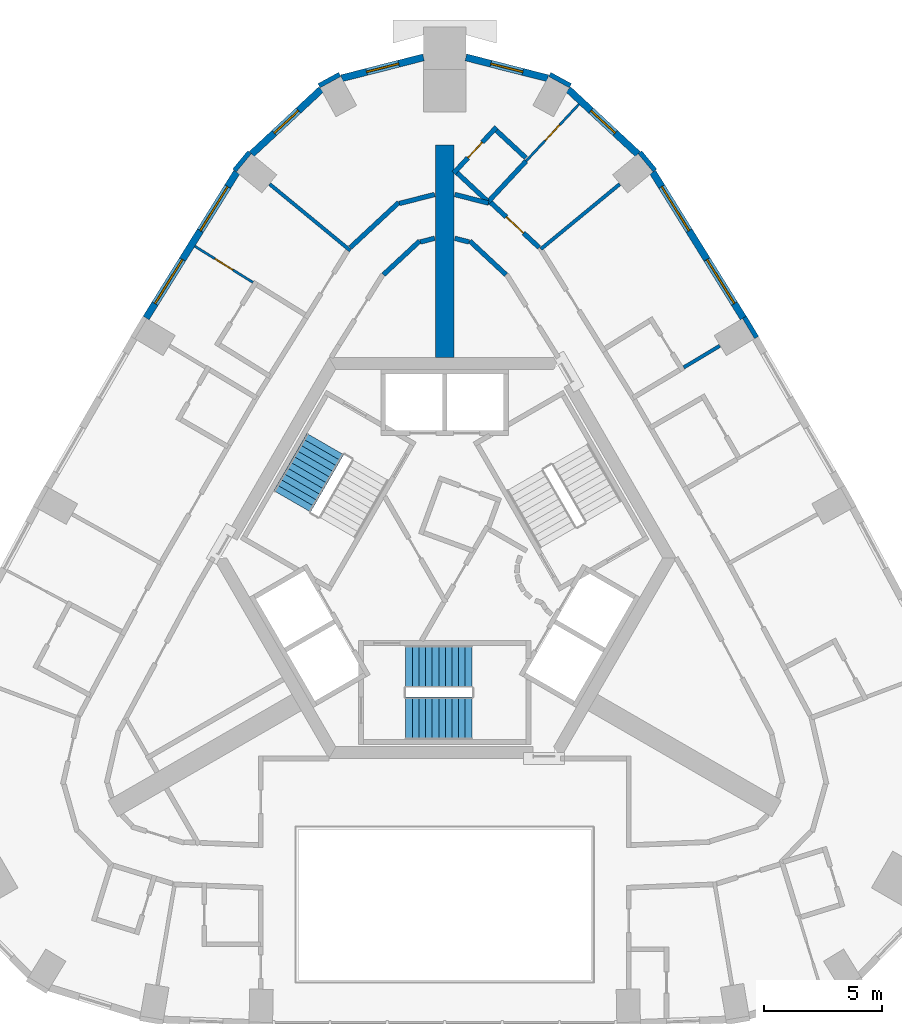
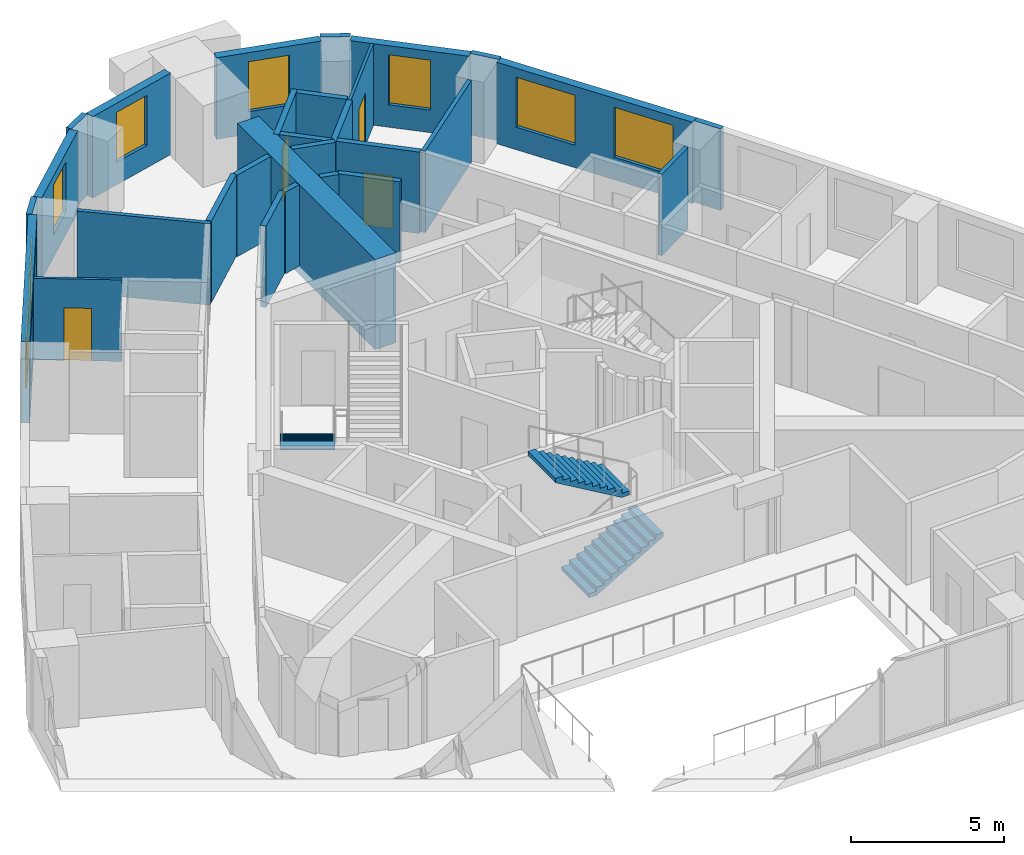
# One storey, part 7 of 10: 29 walls, 8 windows, 4 doors, 3 stair flights, 12 openings, 2 elements without a shape of their own.
"""IFC4 building model written with IfcOpenShell, lengths in metres."""

from ifc_helpers import new_model, si_unit, direction, frame, frame_2d, origin, place, context, subcontext, project, spatial, polyline, rectangle, outline, extrude, material, layer, layer_set, type_object, element, fill, aggregate, save


model = new_model("IFC4")

# Units and contexts
model_context = context("Model", 3, precision=1e-05, world=origin(), true_north=direction((0.0, 1.0)))
body_context = subcontext(model_context, "Body", "Model", "MODEL_VIEW")
ifc_project = project(units=[si_unit("LENGTHUNIT", "METRE"), si_unit("AREAUNIT", "SQUARE_METRE"), si_unit("VOLUMEUNIT", "CUBIC_METRE"), si_unit("PLANEANGLEUNIT", "RADIAN"), si_unit("MASSUNIT", "GRAM", prefix="KILO")], contexts=[model_context])

# Site, building, storey
site_placement = place(None, origin())
site = spatial("IfcSite", under=ifc_project, at=site_placement, CompositionType="ELEMENT")
building_placement = place(site_placement, origin())
building = spatial("IfcBuilding", under=site, at=building_placement, Name="Entoto Arch Interchange Tower", CompositionType="ELEMENT")
storey_placement = place(building_placement, frame((0.0, 0.0, 293.60009765625)))
storey = spatial("IfcBuildingStorey", under=building, at=storey_placement, Name="L68", CompositionType="ELEMENT", Elevation=293.60009765625)

# Wall
ifc_material_1 = material(Name="Concrete C40/50", Category="concrete")
ifc_layer_1 = layer(ifc_material_1, 0.800048828125)
ifc_layer_set_1 = layer_set([ifc_layer_1], Name="Concrete C40/50")
wall_type_1 = type_object("IfcWallType", Name="Buttress wall 800 C40/50", PredefinedType="SHEAR", material=ifc_layer_set_1)
wall_1_placement = place(storey_placement, frame((0.0, 11.0, -0.340087890625), z_axis=(0.0, 0.0, 1.0), x_axis=(0.0, 1.0, 0.0)))
element("IfcWall", 1, at=wall_1_placement, inside=storey, type_object=wall_type_1, Name="Buttress wall N L68", PredefinedType="SHEAR", context=body_context, shape_type="SweptSolid", body=[
    extrude(rectangle(XDim=9.0, YDim=0.800048828125, at=frame_2d((4.5, 0.0))), origin(), (0.0, 0.0, 1.0), 3.60009765625),
])

# Wall, opening, door
ifc_material_2 = material(Name="Gypsum board partition on steel studs", Category="steel")
ifc_layer_2 = layer(ifc_material_2, 0.10009765625)
ifc_layer_set_2 = layer_set([ifc_layer_2], Name="Gypsum board partition on steel studs")
wall_type_2 = type_object("IfcWallType", Name="PARTITION 100", PredefinedType="PARTITIONING", material=ifc_layer_set_2)
wall_2_placement = place(storey_placement, frame((3.444091796875, 19.322021484375, 0.0), z_axis=(0.0, 0.0, 1.0), x_axis=(0.68085394361, 0.732419215662, 0.0)))
wall_2 = element("IfcWall", 2, at=wall_2_placement, inside=storey, type_object=wall_type_2, Name="wall:L68:p107", PredefinedType="PARTITIONING", context=body_context, shape_type="SweptSolid", body=[
    extrude(rectangle(XDim=3.300048828125, YDim=0.10009765625, at=frame_2d((1.64990234375, 0.0))), origin(), (0.0, 0.0, 1.0), 3.260009765625),
])
opening_1_placement = place(wall_2_placement, frame((1.199951171875, 0.0, 0.0)))
opening_1 = element("IfcOpeningElement", 3, at=opening_1_placement, cuts=wall_2, Name="Opening L68-D14", PredefinedType="OPENING", context=body_context, shape_type="SweptSolid", body=[
    extrude(rectangle(XDim=0.89990234375, YDim=2.10009765625, at=frame_2d((0.449951171875, 1.050048828125))), frame((0.0, 0.06005859375, 0.0), z_axis=(0.0, -1.0, 0.0), x_axis=(1.0, 0.0, 0.0)), (0.0, 0.0, 1.0), 0.1201171875),
])
ifc_material_3 = material(Name="Timber door leaf in Steel S235 frame", Category="steel")
door_type_1 = type_object("IfcDoorType", Name="DOOR DS-09 900x2100", OperationType="SINGLE_SWING_LEFT", PredefinedType="DOOR", material=ifc_material_3)
door_1_placement = place(opening_1_placement, origin())
door_1 = element("IfcDoor", 4, at=door_1_placement, inside=storey, type_object=door_type_1, Name="door:L68:14", OperationType="SINGLE_SWING_LEFT", OverallHeight=2.10009765625, OverallWidth=0.89990234375, PredefinedType="DOOR", context=body_context, shape_type="SweptSolid", body=[
    extrude(rectangle(XDim=0.89990234375, YDim=2.10009765625, at=frame_2d((0.449951171875, 1.050048828125))), frame((0.0, 0.02490234375, 0.0), z_axis=(0.0, -1.0, 0.0), x_axis=(1.0, 0.0, 0.0)), (0.0, 0.0, 1.0), 0.050048828125),
])
fill(opening_1, door_1)

wall_3_placement = place(storey_placement, frame((-8.1298828125, 14.18505859375, 0.0), z_axis=(0.0, 0.0, 1.0), x_axis=(-0.849305726881, 0.527901299759, 0.0)))
wall_3 = element("IfcWall", 5, at=wall_3_placement, inside=storey, type_object=wall_type_2, Name="wall:L68:p113", PredefinedType="PARTITIONING", context=body_context, shape_type="SweptSolid", body=[
    extrude(rectangle(XDim=2.900146484375, YDim=0.10009765625, at=frame_2d((1.4501953125, 0.0))), origin(), (0.0, 0.0, 1.0), 3.260009765625),
])
opening_2_placement = place(wall_3_placement, frame((1.0, 0.0, 0.0)))
opening_2 = element("IfcOpeningElement", 6, at=opening_2_placement, cuts=wall_3, Name="Opening L68-D17", PredefinedType="OPENING", context=body_context, shape_type="SweptSolid", body=[
    extrude(rectangle(XDim=0.89990234375, YDim=2.10009765625, at=frame_2d((0.449951171875, 1.050048828125))), frame((0.0, 0.06005859375, 0.0), z_axis=(0.0, -1.0, 0.0), x_axis=(1.0, 0.0, 0.0)), (0.0, 0.0, 1.0), 0.1201171875),
])
door_2_placement = place(opening_2_placement, origin())
door_2 = element("IfcDoor", 7, at=door_2_placement, inside=storey, type_object=door_type_1, Name="door:L68:17", OperationType="SINGLE_SWING_LEFT", OverallHeight=2.10009765625, OverallWidth=0.89990234375, PredefinedType="DOOR", context=body_context, shape_type="SweptSolid", body=[
    extrude(rectangle(XDim=0.89990234375, YDim=2.10009765625, at=frame_2d((0.449951171875, 1.050048828125))), frame((0.0, 0.02490234375, 0.0), z_axis=(0.0, -1.0, 0.0), x_axis=(1.0, 0.0, 0.0)), (0.0, 0.0, 1.0), 0.050048828125),
])
fill(opening_2, door_2)

# Walls
ifc_layer_3 = layer(ifc_material_2, 0.14990234375)
ifc_layer_set_3 = layer_set([ifc_layer_3], Name="Gypsum board partition on steel studs")
wall_type_3 = type_object("IfcWallType", Name="PARTITION 150", PredefinedType="PARTITIONING", material=ifc_layer_set_3)
wall_4_placement = place(storey_placement, frame((10.133056640625, 10.580078125, 0.0), z_axis=(0.0, 0.0, 1.0), x_axis=(0.857903919212, 0.513810145287, 0.0)))
element("IfcWall", 8, at=wall_4_placement, inside=storey, type_object=wall_type_3, Name="wall:L68:p102", PredefinedType="PARTITIONING", context=body_context, shape_type="SweptSolid", body=[
    extrude(rectangle(XDim=1.781005859375, YDim=0.14990234375, at=frame_2d((0.890625, 0.0))), origin(), (0.0, 0.0, 1.0), 3.260009765625),
])
wall_5_placement = place(storey_placement, frame((4.074951171875, 15.594970703125, 0.0), z_axis=(0.0, 0.0, 1.0), x_axis=(0.771899326406, 0.635744783616, 0.0)))
element("IfcWall", 9, at=wall_5_placement, inside=storey, type_object=wall_type_3, Name="wall:L68:p106", PredefinedType="PARTITIONING", context=body_context, shape_type="SweptSolid", body=[
    extrude(rectangle(XDim=4.332275390625, YDim=0.14990234375, at=frame_2d((2.166015625, 0.0))), origin(), (0.0, 0.0, 1.0), 3.260009765625),
])
wall_6_placement = place(storey_placement, frame((-3.998046875, 15.531982421875, 0.0), z_axis=(0.0, 0.0, 1.0), x_axis=(-0.771938186867, 0.635697597649, 0.0)))
element("IfcWall", 10, at=wall_6_placement, inside=storey, type_object=wall_type_3, Name="wall:L68:p112", PredefinedType="PARTITIONING", context=body_context, shape_type="SweptSolid", body=[
    extrude(rectangle(XDim=4.431640625, YDim=0.14990234375, at=frame_2d((2.2158203125, 0.0))), origin(), (0.0, 0.0, 1.0), 3.260009765625),
])
ifc_layer_4 = layer(ifc_material_2, 0.199951171875)
ifc_layer_set_4 = layer_set([ifc_layer_4], Name="Gypsum board partition on steel studs")
wall_type_4 = type_object("IfcWallType", Name="PARTITION 200", PredefinedType="PARTITIONING", material=ifc_layer_set_4)
wall_7_placement = place(storey_placement, frame((2.60009765625, 14.509033203125, 0.0), z_axis=(0.0, 0.0, 1.0), x_axis=(-0.732355024595, 0.680922989735, 0.0)))
element("IfcWall", 11, at=wall_7_placement, inside=storey, type_object=wall_type_4, Name="wall:L68:p007", PredefinedType="PARTITIONING", context=body_context, shape_type="SweptSolid", body=[
    extrude(rectangle(XDim=2.102783203125, YDim=0.199951171875, at=frame_2d((1.05126953125, 0.0))), origin(), (0.0, 0.0, 1.0), 3.260009765625),
])
for number, where, z_axis, x_axis, name in (
    (12, (1.035888671875, 15.89794921875, 0.0), (0.0, 0.0, 1.0), (-0.968899933785, 0.247452860787, 0.0), "wall:L68:p008"),
    (13, (-0.425048828125, 16.053955078125, 0.0), (0.0, 0.0, 1.0), (-0.968899933785, -0.247452860787, 0.0), "wall:L68:p009"),
):
    element("IfcWall", number, at=place(storey_placement, frame(where, z_axis=z_axis, x_axis=x_axis)), inside=storey, type_object=wall_type_4, Name=name, PredefinedType="PARTITIONING", context=body_context, shape_type="SweptSolid", body=[
        extrude(rectangle(XDim=0.63037109375, YDim=0.199951171875, at=frame_2d((0.315185546875, 0.0))), origin(), (0.0, 0.0, 1.0), 3.260009765625),
    ])
wall_8_placement = place(storey_placement, frame((-1.06005859375, 15.94091796875, 0.0), z_axis=(0.0, 0.0, 1.0), x_axis=(-0.732355024595, -0.680922989735, 0.0)))
element("IfcWall", 14, at=wall_8_placement, inside=storey, type_object=wall_type_4, Name="wall:L68:p010", PredefinedType="PARTITIONING", context=body_context, shape_type="SweptSolid", body=[
    extrude(rectangle(XDim=2.102783203125, YDim=0.199951171875, at=frame_2d((1.05126953125, 0.0))), origin(), (0.0, 0.0, 1.0), 3.260009765625),
])

# Wall, opening, door
wall_9_placement = place(storey_placement, frame((1.948974609375, 17.572021484375, 0.0), z_axis=(0.0, 0.0, 1.0), x_axis=(0.732331154554, -0.680948661846, 0.0)))
wall_9 = element("IfcWall", 15, at=wall_9_placement, inside=storey, type_object=wall_type_4, Name="wall:L68:p042", PredefinedType="PARTITIONING", context=body_context, shape_type="SweptSolid", body=[
    extrude(rectangle(XDim=2.803466796875, YDim=0.199951171875, at=frame_2d((1.40185546875, 0.0))), origin(), (0.0, 0.0, 1.0), 3.260009765625),
])
opening_3_placement = place(wall_9_placement, frame((0.90087890625, 0.0, 0.0)))
opening_3 = element("IfcOpeningElement", 16, at=opening_3_placement, cuts=wall_9, Name="Opening L68-D13", PredefinedType="OPENING", context=body_context, shape_type="SweptSolid", body=[
    extrude(rectangle(XDim=1.0, YDim=2.10009765625, at=frame_2d((0.5, 1.050048828125))), frame((0.0, 0.10986328125, 0.0), z_axis=(0.0, -1.0, 0.0), x_axis=(1.0, 0.0, 0.0)), (0.0, 0.0, 1.0), 0.219970703125),
])
ifc_material_4 = material(Name="Fire-rated Steel S235 door and frame", Category="steel")
door_type_2 = type_object("IfcDoorType", Name="DOOR FD-10 1000x2100", OperationType="SINGLE_SWING_LEFT", PredefinedType="DOOR", material=ifc_material_4)
door_3_placement = place(opening_3_placement, origin())
door_3 = element("IfcDoor", 17, at=door_3_placement, inside=storey, type_object=door_type_2, Name="door:L68:13", OperationType="SINGLE_SWING_LEFT", OverallHeight=2.10009765625, OverallWidth=1.0, PredefinedType="DOOR", context=body_context, shape_type="SweptSolid", body=[
    extrude(rectangle(XDim=1.0, YDim=2.10009765625, at=frame_2d((0.5, 1.050048828125))), frame((0.0, 0.02490234375, 0.0), z_axis=(0.0, -1.0, 0.0), x_axis=(1.0, 0.0, 0.0)), (0.0, 0.0, 1.0), 0.050048828125),
])
fill(opening_3, door_3)

# Walls
wall_10_placement = place(storey_placement, frame((-4.001953125, 15.6630859375, 0.0), z_axis=(0.0, 0.0, 1.0), x_axis=(0.732331154554, 0.680948661846, 0.0)))
element("IfcWall", 18, at=wall_10_placement, inside=storey, type_object=wall_type_4, Name="wall:L68:p043", PredefinedType="PARTITIONING", context=body_context, shape_type="SweptSolid", body=[
    extrude(rectangle(XDim=2.803466796875, YDim=0.199951171875, at=frame_2d((1.40185546875, 0.0))), origin(), (0.0, 0.0, 1.0), 3.260009765625),
])
wall_11_placement = place(storey_placement, frame((-1.926025390625, 17.528076171875, 0.0), z_axis=(0.0, 0.0, 1.0), x_axis=(0.968981980879, 0.247131383542, 0.0)))
element("IfcWall", 19, at=wall_11_placement, inside=storey, type_object=wall_type_4, Name="wall:L68:p044", PredefinedType="PARTITIONING", context=body_context, shape_type="SweptSolid", body=[
    extrude(rectangle(XDim=1.549072265625, YDim=0.199951171875, at=frame_2d((0.7744140625, 0.0))), origin(), (0.0, 0.0, 1.0), 3.260009765625),
])
wall_12_placement = place(storey_placement, frame((0.425048828125, 17.910888671875, 0.0), z_axis=(0.0, 0.0, 1.0), x_axis=(0.969051069597, -0.246860334023, 0.0)))
element("IfcWall", 20, at=wall_12_placement, inside=storey, type_object=wall_type_4, Name="wall:L68:p045", PredefinedType="PARTITIONING", context=body_context, shape_type="SweptSolid", body=[
    extrude(rectangle(XDim=1.4736328125, YDim=0.199951171875, at=frame_2d((0.73681640625, 0.0))), origin(), (0.0, 0.0, 1.0), 3.260009765625),
])
wall_13_placement = place(storey_placement, frame((1.77587890625, 17.528076171875, 0.0), z_axis=(0.0, 0.0, 1.0), x_axis=(0.680978439741, 0.732303464834, 0.0)))
element("IfcWall", 21, at=wall_13_placement, inside=storey, type_object=wall_type_4, Name="wall:L68:p108", PredefinedType="PARTITIONING", context=body_context, shape_type="SweptSolid", body=[
    extrude(rectangle(XDim=2.44970703125, YDim=0.199951171875, at=frame_2d((1.224853515625, 0.0))), origin(), (0.0, 0.0, 1.0), 3.260009765625),
])
wall_14_placement = place(storey_placement, frame((3.43896484375, 19.464111328125, 0.0), z_axis=(0.0, 0.0, 1.0), x_axis=(-0.732491549411, 0.68077612329, 0.0)))
element("IfcWall", 22, at=wall_14_placement, inside=storey, type_object=wall_type_4, Name="wall:L68:p109", PredefinedType="PARTITIONING", context=body_context, shape_type="SweptSolid", body=[
    extrude(rectangle(XDim=1.699462890625, YDim=0.199951171875, at=frame_2d((0.849609375, 0.0))), origin(), (0.0, 0.0, 1.0), 3.260009765625),
])

# Wall, opening, door
wall_15_placement = place(storey_placement, frame((2.18896484375, 20.762939453125, 0.0), z_axis=(0.0, 0.0, 1.0), x_axis=(-0.680987945319, -0.73229462536, 0.0)))
wall_15 = element("IfcWall", 23, at=wall_15_placement, inside=storey, type_object=wall_type_4, Name="wall:L68:p110", PredefinedType="PARTITIONING", context=body_context, shape_type="SweptSolid", body=[
    extrude(rectangle(XDim=2.650390625, YDim=0.199951171875, at=frame_2d((1.3251953125, 0.0))), origin(), (0.0, 0.0, 1.0), 3.260009765625),
])
opening_4_placement = place(wall_15_placement, frame((0.875, 0.0, 0.0)))
opening_4 = element("IfcOpeningElement", 24, at=opening_4_placement, cuts=wall_15, Name="Opening L68-D15", PredefinedType="OPENING", context=body_context, shape_type="SweptSolid", body=[
    extrude(rectangle(XDim=0.89990234375, YDim=2.10009765625, at=frame_2d((0.449951171875, 1.050048828125))), frame((0.0, 0.10986328125, 0.0), z_axis=(0.0, -1.0, 0.0), x_axis=(1.0, 0.0, 0.0)), (0.0, 0.0, 1.0), 0.219970703125),
])
door_4_placement = place(opening_4_placement, origin())
door_4 = element("IfcDoor", 25, at=door_4_placement, inside=storey, type_object=door_type_1, Name="door:L68:15", OperationType="SINGLE_SWING_LEFT", OverallHeight=2.10009765625, OverallWidth=0.89990234375, PredefinedType="DOOR", context=body_context, shape_type="SweptSolid", body=[
    extrude(rectangle(XDim=0.89990234375, YDim=2.10009765625, at=frame_2d((0.449951171875, 1.050048828125))), frame((0.0, 0.02490234375, 0.0), z_axis=(0.0, -1.0, 0.0), x_axis=(1.0, 0.0, 0.0)), (0.0, 0.0, 1.0), 0.050048828125),
])
fill(opening_4, door_4)

# Wall
wall_16_placement = place(storey_placement, frame((0.52587890625, 18.826904296875, 0.0), z_axis=(0.0, 0.0, 1.0), x_axis=(0.732112296378, -0.681183958628, 0.0)))
element("IfcWall", 26, at=wall_16_placement, inside=storey, type_object=wall_type_4, Name="wall:L68:p111", PredefinedType="PARTITIONING", context=body_context, shape_type="SweptSolid", body=[
    extrude(rectangle(XDim=1.749755859375, YDim=0.199951171875, at=frame_2d((0.875, 0.0))), origin(), (0.0, 0.0, 1.0), 3.260009765625),
])

# Wall, openings, windows
ifc_material_5 = material(Name="Welded tuff (ignimbrite) cladding, warm buff", Category="masonry")
ifc_layer_5 = layer(ifc_material_5, 0.300048828125)
ifc_layer_set_5 = layer_set([ifc_layer_5], Name="Welded tuff (ignimbrite) cladding, warm buff")
wall_type_5 = type_object("IfcWallType", Name="STONE INFILL WALL 300", PredefinedType="STANDARD", material=ifc_layer_set_5)
wall_17_placement = place(storey_placement, frame((12.658935546875, 12.675048828125, 0.0), z_axis=(0.0, 0.0, 1.0), x_axis=(-0.527762071678, 0.849392250788, 0.0)))
wall_17 = element("IfcWall", 27, at=wall_17_placement, inside=storey, type_object=wall_type_5, Name="Facade wall NE-03 L68", PredefinedType="STANDARD", context=body_context, shape_type="SweptSolid", body=[
    extrude(rectangle(XDim=7.275634765625, YDim=0.300048828125, at=frame_2d((3.6376953125, 0.0))), origin(), (0.0, 0.0, 1.0), 3.260009765625),
])
opening_5_placement = place(wall_17_placement, frame((0.718994140625, 0.0, 0.89990234375)))
opening_5 = element("IfcOpeningElement", 28, at=opening_5_placement, cuts=wall_17, Name="Opening WH-A", PredefinedType="OPENING", context=body_context, shape_type="SweptSolid", body=[
    extrude(rectangle(XDim=2.199951171875, YDim=2.0, at=frame_2d((1.10009765625, 1.0))), frame((0.0, 0.16015625, 0.0), z_axis=(0.0, -1.0, 0.0), x_axis=(1.0, 0.0, 0.0)), (0.0, 0.0, 1.0), 0.320068359375),
])
opening_6_placement = place(wall_17_placement, frame((4.35693359375, 0.0, 0.89990234375)))
opening_6 = element("IfcOpeningElement", 29, at=opening_6_placement, cuts=wall_17, Name="Opening WH-A", PredefinedType="OPENING", context=body_context, shape_type="SweptSolid", body=[
    extrude(rectangle(XDim=2.199951171875, YDim=2.0, at=frame_2d((1.10009765625, 1.0))), frame((0.0, 0.16015625, 0.0), z_axis=(0.0, -1.0, 0.0), x_axis=(1.0, 0.0, 0.0)), (0.0, 0.0, 1.0), 0.320068359375),
])
ifc_material_6 = material(Name="Clear glass, low-e double glazed", Category="glass")
window_type_1 = type_object("IfcWindowType", Name="WINDOW WH-A 2200x2000", PartitioningType="DOUBLE_PANEL_VERTICAL", PredefinedType="WINDOW", material=ifc_material_6)
window_1_placement = place(opening_5_placement, origin())
window_1 = element("IfcWindow", 30, at=window_1_placement, inside=storey, type_object=window_type_1, Name="Window WH-A NE-03 L68", OverallHeight=2.0, OverallWidth=2.199951171875, PartitioningType="SINGLE_PANEL", PredefinedType="WINDOW", context=body_context, shape_type="SweptSolid", body=[
    extrude(rectangle(XDim=2.199951171875, YDim=2.0, at=frame_2d((1.10009765625, 1.0))), frame((0.0, 0.030029296875, 0.0), z_axis=(0.0, -1.0, 0.0), x_axis=(1.0, 0.0, 0.0)), (0.0, 0.0, 1.0), 0.06005859375),
])
fill(opening_5, window_1)
window_2_placement = place(opening_6_placement, origin())
window_2 = element("IfcWindow", 31, at=window_2_placement, inside=storey, type_object=window_type_1, Name="Window WH-A NE-03 L68", OverallHeight=2.0, OverallWidth=2.199951171875, PartitioningType="SINGLE_PANEL", PredefinedType="WINDOW", context=body_context, shape_type="SweptSolid", body=[
    extrude(rectangle(XDim=2.199951171875, YDim=2.0, at=frame_2d((1.10009765625, 1.0))), frame((0.0, 0.030029296875, 0.0), z_axis=(0.0, -1.0, 0.0), x_axis=(1.0, 0.0, 0.0)), (0.0, 0.0, 1.0), 0.06005859375),
])
fill(opening_6, window_2)

# Wall, opening, window
wall_18_placement = place(storey_placement, frame((8.18408203125, 19.6259765625, 0.0), z_axis=(0.0, 0.0, 1.0), x_axis=(-0.732397380344, 0.680877431896, 0.0)))
wall_18 = element("IfcWall", 32, at=wall_18_placement, inside=storey, type_object=wall_type_5, Name="Facade wall N-01 L68", PredefinedType="STANDARD", context=body_context, shape_type="SweptSolid", body=[
    extrude(rectangle(XDim=4.0185546875, YDim=0.300048828125, at=frame_2d((2.00927734375, 0.0))), origin(), (0.0, 0.0, 1.0), 3.260009765625),
])
opening_7_placement = place(wall_18_placement, frame((1.30908203125, 0.0, 0.89990234375)))
opening_7 = element("IfcOpeningElement", 33, at=opening_7_placement, cuts=wall_18, Name="Opening WH-B", PredefinedType="OPENING", context=body_context, shape_type="SweptSolid", body=[
    extrude(rectangle(XDim=1.39990234375, YDim=2.0, at=frame_2d((0.699951171875, 1.0))), frame((0.0, 0.16015625, 0.0), z_axis=(0.0, -1.0, 0.0), x_axis=(1.0, 0.0, 0.0)), (0.0, 0.0, 1.0), 0.320068359375),
])
window_type_2 = type_object("IfcWindowType", Name="WINDOW WH-B 1400x2000", PartitioningType="DOUBLE_PANEL_VERTICAL", PredefinedType="WINDOW", material=ifc_material_6)
window_3_placement = place(opening_7_placement, origin())
window_3 = element("IfcWindow", 34, at=window_3_placement, inside=storey, type_object=window_type_2, Name="Window WH-B N-01 L68", OverallHeight=2.0, OverallWidth=1.39990234375, PartitioningType="SINGLE_PANEL", PredefinedType="WINDOW", context=body_context, shape_type="SweptSolid", body=[
    extrude(rectangle(XDim=1.39990234375, YDim=2.0, at=frame_2d((0.699951171875, 1.0))), frame((0.0, 0.030029296875, 0.0), z_axis=(0.0, -1.0, 0.0), x_axis=(1.0, 0.0, 0.0)), (0.0, 0.0, 1.0), 0.06005859375),
])
fill(opening_7, window_3)

wall_19_placement = place(storey_placement, frame((4.364990234375, 22.840087890625, 0.0), z_axis=(0.0, 0.0, 1.0), x_axis=(-0.968979290476, 0.247141932156, 0.0)))
wall_19 = element("IfcWall", 35, at=wall_19_placement, inside=storey, type_object=wall_type_5, Name="Facade wall N-02 L68", PredefinedType="STANDARD", context=body_context, shape_type="SweptSolid", body=[
    extrude(rectangle(XDim=3.576904296875, YDim=0.300048828125, at=frame_2d((1.78857421875, 0.0))), origin(), (0.0, 0.0, 1.0), 3.260009765625),
])
opening_8_placement = place(wall_19_placement, frame((1.087890625, 0.0, 0.89990234375)))
opening_8 = element("IfcOpeningElement", 36, at=opening_8_placement, cuts=wall_19, Name="Opening WH-B", PredefinedType="OPENING", context=body_context, shape_type="SweptSolid", body=[
    extrude(rectangle(XDim=1.39990234375, YDim=2.0, at=frame_2d((0.699951171875, 1.0))), frame((0.0, 0.16015625, 0.0), z_axis=(0.0, -1.0, 0.0), x_axis=(1.0, 0.0, 0.0)), (0.0, 0.0, 1.0), 0.320068359375),
])
window_4_placement = place(opening_8_placement, origin())
window_4 = element("IfcWindow", 37, at=window_4_placement, inside=storey, type_object=window_type_2, Name="Window WH-B N-02 L68", OverallHeight=2.0, OverallWidth=1.39990234375, PartitioningType="SINGLE_PANEL", PredefinedType="WINDOW", context=body_context, shape_type="SweptSolid", body=[
    extrude(rectangle(XDim=1.39990234375, YDim=2.0, at=frame_2d((0.699951171875, 1.0))), frame((0.0, 0.030029296875, 0.0), z_axis=(0.0, -1.0, 0.0), x_axis=(1.0, 0.0, 0.0)), (0.0, 0.0, 1.0), 0.06005859375),
])
fill(opening_8, window_4)

wall_20_placement = place(storey_placement, frame((-0.89892578125, 23.72412109375, 0.0), z_axis=(0.0, 0.0, 1.0), x_axis=(-0.968979290476, -0.247141932156, 0.0)))
wall_20 = element("IfcWall", 38, at=wall_20_placement, inside=storey, type_object=wall_type_5, Name="Facade wall N-03 L68", PredefinedType="STANDARD", context=body_context, shape_type="SweptSolid", body=[
    extrude(rectangle(XDim=3.576904296875, YDim=0.300048828125, at=frame_2d((1.78857421875, 0.0))), origin(), (0.0, 0.0, 1.0), 3.260009765625),
])
opening_9_placement = place(wall_20_placement, frame((1.087890625, 0.0, 0.89990234375)))
opening_9 = element("IfcOpeningElement", 39, at=opening_9_placement, cuts=wall_20, Name="Opening WH-B", PredefinedType="OPENING", context=body_context, shape_type="SweptSolid", body=[
    extrude(rectangle(XDim=1.39990234375, YDim=2.0, at=frame_2d((0.699951171875, 1.0))), frame((0.0, 0.16015625, 0.0), z_axis=(0.0, -1.0, 0.0), x_axis=(1.0, 0.0, 0.0)), (0.0, 0.0, 1.0), 0.320068359375),
])
window_5_placement = place(opening_9_placement, origin())
window_5 = element("IfcWindow", 40, at=window_5_placement, inside=storey, type_object=window_type_2, Name="Window WH-B N-03 L68", OverallHeight=2.0, OverallWidth=1.39990234375, PartitioningType="SINGLE_PANEL", PredefinedType="WINDOW", context=body_context, shape_type="SweptSolid", body=[
    extrude(rectangle(XDim=1.39990234375, YDim=2.0, at=frame_2d((0.699951171875, 1.0))), frame((0.0, 0.030029296875, 0.0), z_axis=(0.0, -1.0, 0.0), x_axis=(1.0, 0.0, 0.0)), (0.0, 0.0, 1.0), 0.06005859375),
])
fill(opening_9, window_5)

wall_21_placement = place(storey_placement, frame((-5.240966796875, 22.362060546875, 0.0), z_axis=(0.0, 0.0, 1.0), x_axis=(-0.732397380344, -0.680877431896, 0.0)))
wall_21 = element("IfcWall", 41, at=wall_21_placement, inside=storey, type_object=wall_type_5, Name="Facade wall N-04 L68", PredefinedType="STANDARD", context=body_context, shape_type="SweptSolid", body=[
    extrude(rectangle(XDim=4.0185546875, YDim=0.300048828125, at=frame_2d((2.00927734375, 0.0))), origin(), (0.0, 0.0, 1.0), 3.260009765625),
])
opening_10_placement = place(wall_21_placement, frame((1.30908203125, 0.0, 0.89990234375)))
opening_10 = element("IfcOpeningElement", 42, at=opening_10_placement, cuts=wall_21, Name="Opening WH-B", PredefinedType="OPENING", context=body_context, shape_type="SweptSolid", body=[
    extrude(rectangle(XDim=1.39990234375, YDim=2.0, at=frame_2d((0.699951171875, 1.0))), frame((0.0, 0.16015625, 0.0), z_axis=(0.0, -1.0, 0.0), x_axis=(1.0, 0.0, 0.0)), (0.0, 0.0, 1.0), 0.320068359375),
])
window_6_placement = place(opening_10_placement, origin())
window_6 = element("IfcWindow", 43, at=window_6_placement, inside=storey, type_object=window_type_2, Name="Window WH-B N-04 L68", OverallHeight=2.0, OverallWidth=1.39990234375, PartitioningType="SINGLE_PANEL", PredefinedType="WINDOW", context=body_context, shape_type="SweptSolid", body=[
    extrude(rectangle(XDim=1.39990234375, YDim=2.0, at=frame_2d((0.699951171875, 1.0))), frame((0.0, 0.030029296875, 0.0), z_axis=(0.0, -1.0, 0.0), x_axis=(1.0, 0.0, 0.0)), (0.0, 0.0, 1.0), 0.06005859375),
])
fill(opening_10, window_6)

# Wall, openings, windows
wall_22_placement = place(storey_placement, frame((-8.819091796875, 18.85498046875, 0.0), z_axis=(0.0, 0.0, 1.0), x_axis=(-0.527762071678, -0.849392250788, 0.0)))
wall_22 = element("IfcWall", 44, at=wall_22_placement, inside=storey, type_object=wall_type_5, Name="Facade wall NW-01 L68", PredefinedType="STANDARD", context=body_context, shape_type="SweptSolid", body=[
    extrude(rectangle(XDim=7.275634765625, YDim=0.300048828125, at=frame_2d((3.6376953125, 0.0))), origin(), (0.0, 0.0, 1.0), 3.260009765625),
])
opening_11_placement = place(wall_22_placement, frame((0.718994140625, 0.0, 0.89990234375)))
opening_11 = element("IfcOpeningElement", 45, at=opening_11_placement, cuts=wall_22, Name="Opening WH-A", PredefinedType="OPENING", context=body_context, shape_type="SweptSolid", body=[
    extrude(rectangle(XDim=2.199951171875, YDim=2.0, at=frame_2d((1.10009765625, 1.0))), frame((0.0, 0.16015625, 0.0), z_axis=(0.0, -1.0, 0.0), x_axis=(1.0, 0.0, 0.0)), (0.0, 0.0, 1.0), 0.320068359375),
])
opening_12_placement = place(wall_22_placement, frame((4.35693359375, 0.0, 0.89990234375)))
opening_12 = element("IfcOpeningElement", 46, at=opening_12_placement, cuts=wall_22, Name="Opening WH-A", PredefinedType="OPENING", context=body_context, shape_type="SweptSolid", body=[
    extrude(rectangle(XDim=2.199951171875, YDim=2.0, at=frame_2d((1.10009765625, 1.0))), frame((0.0, 0.16015625, 0.0), z_axis=(0.0, -1.0, 0.0), x_axis=(1.0, 0.0, 0.0)), (0.0, 0.0, 1.0), 0.320068359375),
])
window_7_placement = place(opening_11_placement, origin())
window_7 = element("IfcWindow", 47, at=window_7_placement, inside=storey, type_object=window_type_1, Name="Window WH-A NW-01 L68", OverallHeight=2.0, OverallWidth=2.199951171875, PartitioningType="SINGLE_PANEL", PredefinedType="WINDOW", context=body_context, shape_type="SweptSolid", body=[
    extrude(rectangle(XDim=2.199951171875, YDim=2.0, at=frame_2d((1.10009765625, 1.0))), frame((0.0, 0.030029296875, 0.0), z_axis=(0.0, -1.0, 0.0), x_axis=(1.0, 0.0, 0.0)), (0.0, 0.0, 1.0), 0.06005859375),
])
fill(opening_11, window_7)
window_8_placement = place(opening_12_placement, origin())
window_8 = element("IfcWindow", 48, at=window_8_placement, inside=storey, type_object=window_type_1, Name="Window WH-A NW-01 L68", OverallHeight=2.0, OverallWidth=2.199951171875, PartitioningType="SINGLE_PANEL", PredefinedType="WINDOW", context=body_context, shape_type="SweptSolid", body=[
    extrude(rectangle(XDim=2.199951171875, YDim=2.0, at=frame_2d((1.10009765625, 1.0))), frame((0.0, 0.030029296875, 0.0), z_axis=(0.0, -1.0, 0.0), x_axis=(1.0, 0.0, 0.0)), (0.0, 0.0, 1.0), 0.06005859375),
])
fill(opening_12, window_8)

# Walls
ifc_layer_6 = layer(ifc_material_5, 0.199951171875)
ifc_layer_set_6 = layer_set([ifc_layer_6], Name="Welded tuff (ignimbrite) cladding, warm buff")
wall_type_6 = type_object("IfcWallType", Name="STONE PIER CLADDING 200", PredefinedType="STANDARD", material=ifc_layer_set_6)
for number, where, z_axis, x_axis, name in (
    (49, (5.3291015625, 22.52197265625, 0.0), (0.0, 0.0, 1.0), (-0.877895572914, 0.478852130681, 0.0), "Stone pier N1 L68"),
    (50, (-4.450927734375, 23.0009765625, 0.0), (0.0, 0.0, 1.0), (-0.877895572914, -0.478852130681, 0.0), "Stone pier N3 L68"),
    (51, (13.221923828125, 11.847900390625, 0.0), (0.0, 0.0, 1.0), (-0.513777707721, 0.857923345672, 0.0), "Stone pier NE03 L68"),
    (52, (8.910888671875, 18.928955078125, 0.0), (0.0, 0.0, 1.0), (-0.635852688617, 0.771810441999, 0.0), "Stone pier NE04 L68"),
    (53, (-8.27490234375, 19.700927734375, 0.0), (0.0, 0.0, 1.0), (-0.635852688617, -0.771810441999, 0.0), "Stone pier NW01 L68"),
):
    element("IfcWall", number, at=place(storey_placement, frame(where, z_axis=z_axis, x_axis=x_axis)), inside=storey, type_object=wall_type_6, Name=name, PredefinedType="STANDARD", context=body_context, shape_type="SweptSolid", body=[
        extrude(rectangle(XDim=1.000244140625, YDim=0.199951171875, at=frame_2d((0.5, 0.0))), origin(), (0.0, 0.0, 1.0), 3.260009765625),
    ])

# Stair, stair flights
stair_type = type_object("IfcStairType", Name="EXIT STAIR RC 1800", PredefinedType="HALF_TURN_STAIR", material=ifc_material_1)
stair_1_placement = place(storey_placement, origin())
stair_1 = element("IfcStair", 54, at=stair_1_placement, inside=storey, type_object=stair_type, Name="L68 Exit stair S", PredefinedType="HALF_TURN_STAIR")
stair_flight_type = type_object("IfcStairFlightType", Name="EXIT STAIR FLIGHT RC 1800", PredefinedType="STRAIGHT", material=ifc_material_1)
stair_flight_1_placement = place(storey_placement, frame((-1.64990234375, -4.300048828125, 0.0), z_axis=(0.0, 0.0, 1.0), x_axis=(1.0, 0.0, 0.0)))
stair_flight_1 = element("IfcStairFlight", 55, at=stair_flight_1_placement, type_object=stair_flight_type, Name="ST-S flight 1", NumberOfRisers=11, NumberOfTreads=10, PredefinedType="STRAIGHT", RiserHeight=0.163636364, TreadLength=0.28, context=body_context, shape_type="SweptSolid", body=[
    extrude(outline(polyline([(-0.0029296875, 0.0), (-0.0029296875, 0.16357421875), (0.280029296875, 0.16357421875), (0.280029296875, 0.327392578125), (0.56005859375, 0.327392578125), (0.56005859375, 0.490966796875), (0.840087890625, 0.490966796875), (0.840087890625, 0.654541015625), (1.1201171875, 0.654541015625), (1.1201171875, 0.818115234375), (1.39990234375, 0.818115234375), (1.39990234375, 0.98193359375), (1.679931640625, 0.98193359375), (1.679931640625, 1.1455078125), (1.9599609375, 1.1455078125), (1.9599609375, 1.30908203125), (2.239990234375, 1.30908203125), (2.239990234375, 1.47265625), (2.52001953125, 1.47265625), (2.52001953125, 1.636474609375), (2.800048828125, 1.636474609375), (2.802978515625, 1.636474609375), (2.802978515625, 1.464599609375), (0.297119140625, 0.0), (-0.0029296875, 0.0)])), frame((0.0, 0.89990234375, 0.0), z_axis=(0.0, -1.0, 0.0), x_axis=(1.0, 0.0, 0.0)), (0.0, 0.0, 1.0), 1.800048828125),
])
stair_flight_2_placement = place(storey_placement, frame((1.14990234375, -2.10009765625, 1.7998046875), z_axis=(0.0, 0.0, 1.0), x_axis=(-1.0, 0.0, 0.0)))
stair_flight_2 = element("IfcStairFlight", 56, at=stair_flight_2_placement, type_object=stair_flight_type, Name="ST-S flight 2", NumberOfRisers=11, NumberOfTreads=10, PredefinedType="STRAIGHT", RiserHeight=0.163636364, TreadLength=0.28, context=body_context, shape_type="SweptSolid", body=[
    extrude(outline(polyline([(-0.0029296875, 0.0), (-0.0029296875, 0.16357421875), (0.280029296875, 0.16357421875), (0.280029296875, 0.327392578125), (0.56005859375, 0.327392578125), (0.56005859375, 0.490966796875), (0.840087890625, 0.490966796875), (0.840087890625, 0.654541015625), (1.1201171875, 0.654541015625), (1.1201171875, 0.818115234375), (1.39990234375, 0.818115234375), (1.39990234375, 0.98193359375), (1.679931640625, 0.98193359375), (1.679931640625, 1.1455078125), (1.9599609375, 1.1455078125), (1.9599609375, 1.30908203125), (2.239990234375, 1.30908203125), (2.239990234375, 1.47265625), (2.52001953125, 1.47265625), (2.52001953125, 1.636474609375), (2.800048828125, 1.636474609375), (2.802978515625, 1.636474609375), (2.802978515625, 1.464599609375), (0.297119140625, 0.0), (-0.0029296875, 0.0)])), frame((0.0, 0.89990234375, 0.0), z_axis=(0.0, -1.0, 0.0), x_axis=(1.0, 0.0, 0.0)), (0.0, 0.0, 1.0), 1.800048828125),
])
aggregate(stair_1, [stair_flight_1, stair_flight_2])

# Stair, stair flight
stair_2_placement = place(storey_placement, origin())
stair_2 = element("IfcStair", 57, at=stair_2_placement, inside=storey, type_object=stair_type, Name="L68 Exit stair NW", PredefinedType="HALF_TURN_STAIR")
stair_flight_3_placement = place(storey_placement, frame((-5.06396484375, 7.328857421875, 0.0), z_axis=(0.0, 0.0, 1.0), x_axis=(-0.5, -0.866025403784, 0.0)))
stair_flight_3 = element("IfcStairFlight", 58, at=stair_flight_3_placement, type_object=stair_flight_type, Name="ST-NW flight 1", NumberOfRisers=11, NumberOfTreads=10, PredefinedType="STRAIGHT", RiserHeight=0.163636364, TreadLength=0.28, context=body_context, shape_type="SweptSolid", body=[
    extrude(outline(polyline([(-0.0029296875, 0.0), (-0.0029296875, 0.16357421875), (0.280029296875, 0.16357421875), (0.280029296875, 0.327392578125), (0.56005859375, 0.327392578125), (0.56005859375, 0.490966796875), (0.840087890625, 0.490966796875), (0.840087890625, 0.654541015625), (1.1201171875, 0.654541015625), (1.1201171875, 0.818115234375), (1.39990234375, 0.818115234375), (1.39990234375, 0.98193359375), (1.679931640625, 0.98193359375), (1.679931640625, 1.1455078125), (1.9599609375, 1.1455078125), (1.9599609375, 1.30908203125), (2.239990234375, 1.30908203125), (2.239990234375, 1.47265625), (2.52001953125, 1.47265625), (2.52001953125, 1.636474609375), (2.800048828125, 1.636474609375), (2.802978515625, 1.636474609375), (2.802978515625, 1.464599609375), (0.297119140625, 0.0), (-0.0029296875, 0.0)])), frame((0.0, 0.89990234375, 0.0), z_axis=(0.0, -1.0, 0.0), x_axis=(1.0, 0.0, 0.0)), (0.0, 0.0, 1.0), 1.800048828125),
])
aggregate(stair_2, [stair_flight_3])

save(model, "model.ifc")
